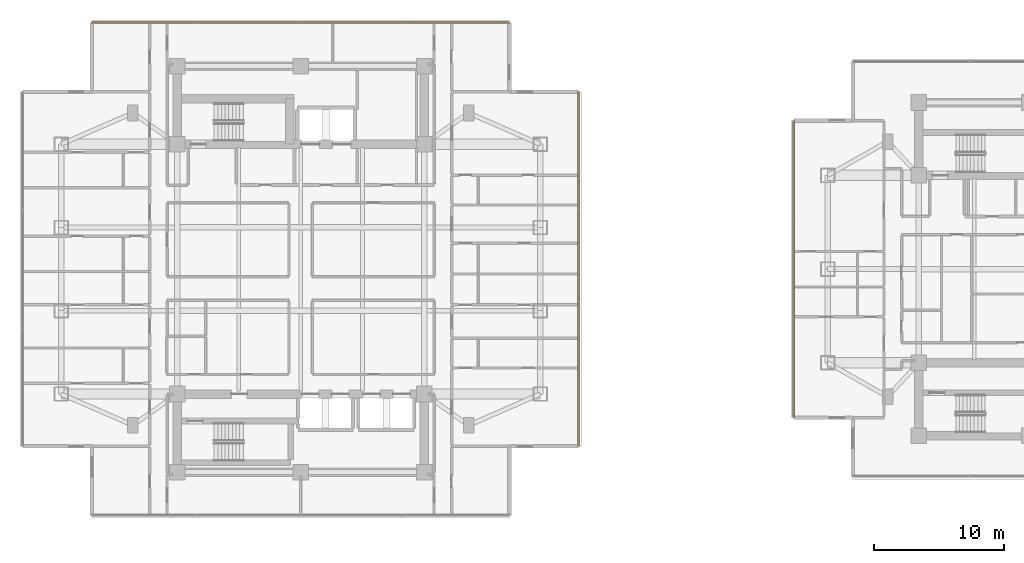
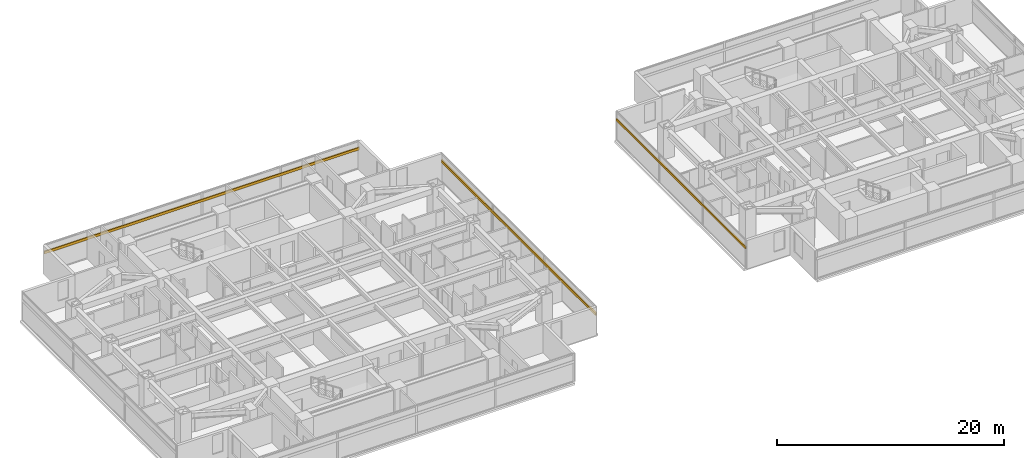
# One storey, part 21 of 24: 3 shading devices.
"""IFC4 building model written with IfcOpenShell, lengths in metres."""

from ifc_helpers import new_model, si_unit, direction, frame, origin, origin_2d, place, context, subcontext, project, spatial, rectangle, extrude, material, material_profile, profile_set, type_object, element, save


model = new_model("IFC4")

# Units and contexts
model_context = context("Model", 3, precision=1e-05, world=origin(), true_north=direction((0.0, 1.0)))
body_context = subcontext(model_context, "Body", "Model", "MODEL_VIEW")
ifc_project = project(units=[si_unit("LENGTHUNIT", "METRE"), si_unit("AREAUNIT", "SQUARE_METRE"), si_unit("VOLUMEUNIT", "CUBIC_METRE"), si_unit("PLANEANGLEUNIT", "RADIAN"), si_unit("MASSUNIT", "GRAM", prefix="KILO")], contexts=[model_context])

# Site, building, storey
site_placement = place(None, origin())
site = spatial("IfcSite", under=ifc_project, at=site_placement, CompositionType="ELEMENT")
building_placement = place(site_placement, origin())
building = spatial("IfcBuilding", under=site, at=building_placement, Name="Mirazonda Arch Towers", CompositionType="ELEMENT")
storey_placement = place(building_placement, frame((0.0, 0.0, 101.60009765625)))
storey = spatial("IfcBuildingStorey", under=building, at=storey_placement, Name="L28", CompositionType="ELEMENT", Elevation=101.60009765625)

# Shading devices
ifc_material = material(Name="Kiln-Fired Architectural Terracotta", Category="masonry")
ifc_material_profile_1 = material_profile(ifc_material, rectangle(XDim=0.1201171875, YDim=0.239990234375, at=origin_2d()), Name="TERRA-BAG-120x240")
ifc_profile_set_1 = profile_set([ifc_material_profile_1], Name="Kiln-Fired Architectural Terracotta")
shading_device_type_1 = type_object("IfcShadingDeviceType", Name="BAGUETTE-1", PredefinedType="USERDEFINED", material=ifc_profile_set_1)
shading_device_1_placement = place(storey_placement, frame((58.405517578125, 39.414306640625, 2.203125), z_axis=(0.0, -1.0, 0.0), x_axis=(1.0, 0.0, 0.0)))
element("IfcShadingDevice", 1, at=shading_device_1_placement, inside=storey, type_object=shading_device_type_1, Name="L28 Glazed Terracotta Sun-Screen Baguette CW-L28-T2-W", ObjectType="BAGUETTE", PredefinedType="USERDEFINED", context=body_context, shape_type="SweptSolid", body=[
    extrude(rectangle(XDim=0.1201171875, YDim=0.239990234375, at=origin_2d()), origin(), (0.0, 0.0, 1.0), 22.82861328125),
])
ifc_material_profile_2 = material_profile(ifc_material, rectangle(XDim=0.139892578125, YDim=0.280029296875, at=origin_2d()), Name="TERRA-BAG-140x280")
ifc_profile_set_2 = profile_set([ifc_material_profile_2], Name="Kiln-Fired Architectural Terracotta")
shading_device_type_2 = type_object("IfcShadingDeviceType", Name="BAGUETTE-3", PredefinedType="USERDEFINED", material=ifc_profile_set_2)
shading_device_2_placement = place(storey_placement, frame((41.85009765625, 14.383056640625, 2.203125), z_axis=(0.0, 1.0, 0.0), x_axis=(-1.0, 0.0, 0.0)))
element("IfcShadingDevice", 2, at=shading_device_2_placement, inside=storey, type_object=shading_device_type_2, Name="L28 Glazed Terracotta Sun-Screen Baguette CW-L28-T1-E", ObjectType="BAGUETTE", PredefinedType="USERDEFINED", context=body_context, shape_type="SweptSolid", body=[
    extrude(rectangle(XDim=0.139892578125, YDim=0.280029296875, at=origin_2d()), origin(), (0.0, 0.0, 1.0), 27.23388671875),
])
shading_device_3_placement = place(storey_placement, frame((4.455078125, 46.922119140625, 2.203125), z_axis=(1.0, 0.0, 0.0), x_axis=(0.0, 1.0, 0.0)))
element("IfcShadingDevice", 3, at=shading_device_3_placement, inside=storey, type_object=shading_device_type_2, Name="L28 Glazed Terracotta Sun-Screen Baguette CW-L28-T1-N", ObjectType="BAGUETTE", PredefinedType="USERDEFINED", context=body_context, shape_type="SweptSolid", body=[
    extrude(rectangle(XDim=0.139892578125, YDim=0.280029296875, at=origin_2d()), origin(), (0.0, 0.0, 1.0), 32.08984375),
])

save(model, "model.ifc")
